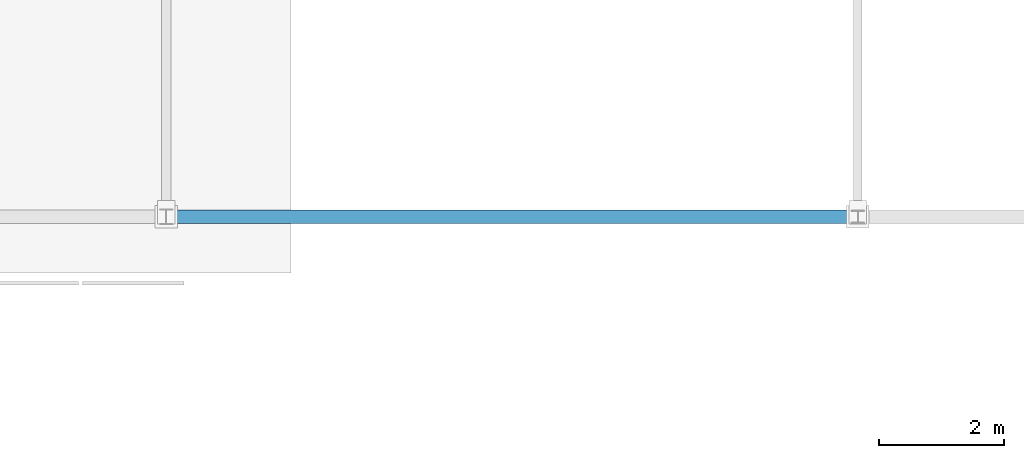
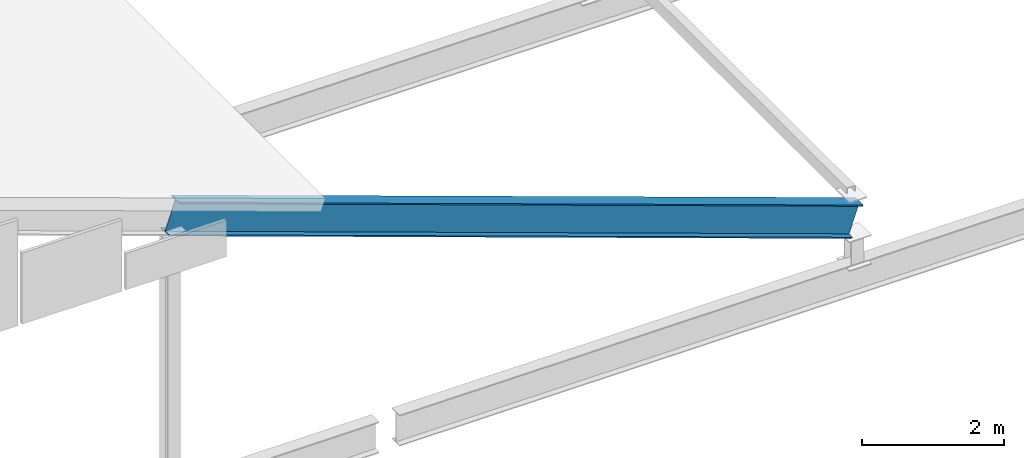
# One storey, part 22 of 42: 1 beam.
"""IFC4 building model written with IfcOpenShell, lengths in metres."""

from ifc_helpers import new_model, si_unit, direction, frame, origin, origin_2d, place, context, subcontext, project, spatial, i_section, extrude, material, material_profile, profile_set, type_object, element, save


model = new_model("IFC4")

# Units and contexts
model_context = context("Model", 3, precision=1e-05, world=origin(), true_north=direction((0.0, 1.0)))
body_context = subcontext(model_context, "Body", "Model", "MODEL_VIEW")
ifc_project = project(units=[si_unit("LENGTHUNIT", "METRE"), si_unit("AREAUNIT", "SQUARE_METRE"), si_unit("VOLUMEUNIT", "CUBIC_METRE"), si_unit("PLANEANGLEUNIT", "RADIAN"), si_unit("MASSUNIT", "GRAM", prefix="KILO")], contexts=[model_context])

# Site, building, storey
site_placement = place(None, origin())
site = spatial("IfcSite", under=ifc_project, at=site_placement, CompositionType="ELEMENT")
building_placement = place(site_placement, origin())
building = spatial("IfcBuilding", under=site, at=building_placement, Name="Kelmvaro Bay Concert Hall", CompositionType="ELEMENT")
storey_placement = place(building_placement, frame((0.0, 0.0, 26.699951171875)))
storey = spatial("IfcBuildingStorey", under=building, at=storey_placement, Name="RF", CompositionType="ELEMENT", Elevation=26.699951171875)

# Beam
ifc_material = material(Name="Steel ASTM A992 Grade 50", Category="steel")
ifc_material_profile = material_profile(ifc_material, i_section(OverallWidth=0.2119140625, OverallDepth=0.5439453125, WebThickness=0.01318359375, FlangeThickness=0.021240234375, at=origin_2d()), Name="W21X83")
ifc_profile_set = profile_set([ifc_material_profile], Name="Steel ASTM A992 Grade 50")
beam_type = type_object("IfcBeamType", Name="Crystal Roof Sloped Rafter W21x83", PredefinedType="BEAM", material=ifc_profile_set)
beam_placement = place(storey_placement, frame((152.5, 16.5, 0.14404296875), z_axis=(0.942643807151, 0.0, -0.333800318813), x_axis=(0.0, 1.0, 0.0)))
element("IfcBeam", 1, at=beam_placement, inside=storey, type_object=beam_type, Name="V4 Crystal Roof Rafter 053", PredefinedType="BEAM", context=body_context, shape_type="SweptSolid", body=[
    extrude(i_section(OverallWidth=0.2119140625, OverallDepth=0.5439453125, WebThickness=0.01318359375, FlangeThickness=0.021240234375, at=origin_2d()), origin(), (0.0, 0.0, 1.0), 11.775390625),
])

save(model, "model.ifc")
